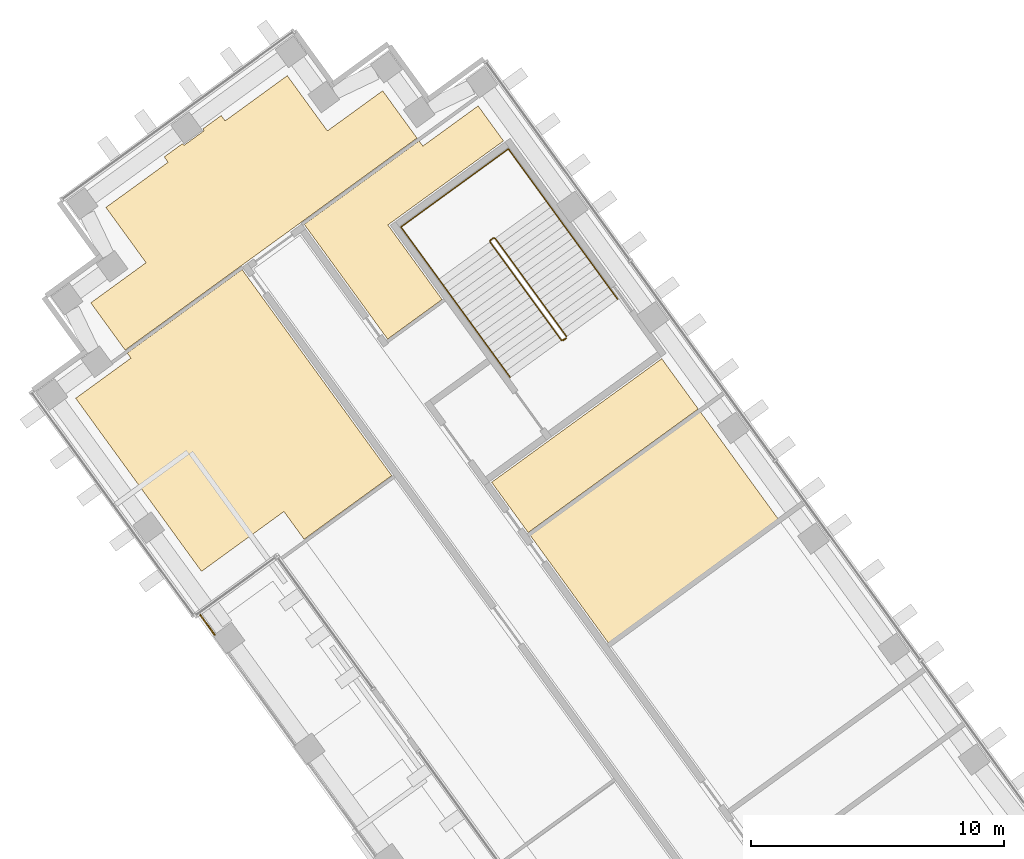
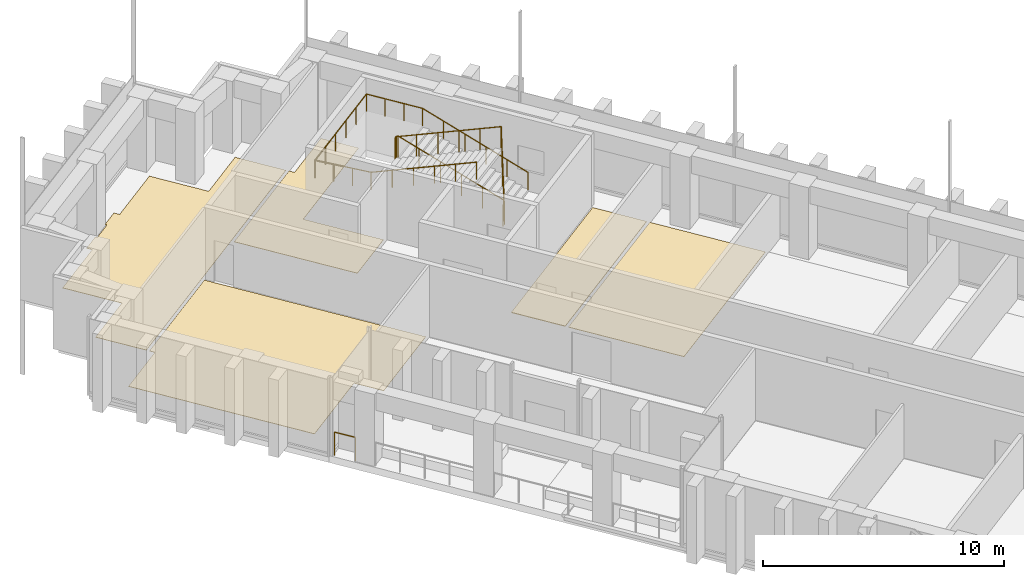
# One storey, part 17 of 19: 5 coverings, 3 railings.
"""IFC4 building model written with IfcOpenShell, lengths in metres."""

from ifc_helpers import new_model, si_unit, direction, frame, origin, origin_2d, place, context, subcontext, project, spatial, polyline, circle, outline, extrude, material, layer, layer_set, type_object, element, save


model = new_model("IFC4")

# Units and contexts
model_context = context("Model", 3, precision=1e-05, world=origin(), true_north=direction((0.0, 1.0)))
body_context = subcontext(model_context, "Body", "Model", "MODEL_VIEW")
ifc_project = project(units=[si_unit("LENGTHUNIT", "METRE"), si_unit("AREAUNIT", "SQUARE_METRE"), si_unit("VOLUMEUNIT", "CUBIC_METRE"), si_unit("PLANEANGLEUNIT", "RADIAN"), si_unit("MASSUNIT", "GRAM", prefix="KILO")], contexts=[model_context])

# Site, building, storey
site_placement = place(None, origin())
site = spatial("IfcSite", under=ifc_project, at=site_placement, CompositionType="ELEMENT")
building_placement = place(site_placement, origin())
building = spatial("IfcBuilding", under=site, at=building_placement, Name="Quipu Civic Tower", CompositionType="ELEMENT")
storey_placement = place(building_placement, frame((0.0, 0.0, 47.0)))
storey = spatial("IfcBuildingStorey", under=building, at=storey_placement, Name="L10", CompositionType="ELEMENT", Elevation=47.0)

# Coverings
ifc_material_1 = material(Name="Carpet tile on raised access floor")
ifc_layer_1 = layer(ifc_material_1, 0.02001953125)
ifc_layer_set_1 = layer_set([ifc_layer_1], Name="Carpet tile on raised access floor")
covering_type_1 = type_object("IfcCoveringType", Name="Carpet tile floor finish 20", PredefinedType="FLOORING", material=ifc_layer_set_1)
covering_1_placement = place(storey_placement, origin())
element("IfcCovering", 1, at=covering_1_placement, inside=storey, type_object=covering_type_1, Name="Carpet tile floor finish 20", PredefinedType="FLOORING", context=body_context, shape_type="SweptSolid", body=[
    extrude(outline(polyline([(-44.445068359375, 36.23193359375), (-39.906005859375, 39.530029296875), (-39.757080078125, 39.327880859375), (-37.573974609375, 40.9130859375), (-36.570068359375, 39.530029296875), (-41.139892578125, 36.208984375), (-38.998046875, 33.260009765625), (-41.15087890625, 31.697021484375), (-44.445068359375, 36.23193359375)])), origin(), (0.0, 0.0, 1.0), 0.02001953125),
])
covering_2_placement = place(storey_placement, origin())
element("IfcCovering", 2, at=covering_2_placement, inside=storey, type_object=covering_type_1, Name="Carpet tile floor finish 20", PredefinedType="FLOORING", context=body_context, shape_type="SweptSolid", body=[
    extrude(outline(polyline([(-53.47998046875, 29.35791015625), (-51.298095703125, 30.943115234375), (-51.443115234375, 31.14599609375), (-46.904052734375, 34.444091796875), (-40.988037109375, 26.301025390625), (-44.451904296875, 23.785888671875), (-45.25, 24.881103515625), (-48.508056640625, 22.513916015625), (-53.47998046875, 29.35791015625)])), origin(), (0.0, 0.0, 1.0), 0.02001953125),
])
covering_3_placement = place(storey_placement, origin())
element("IfcCovering", 3, at=covering_3_placement, inside=storey, type_object=covering_type_1, Name="Carpet tile floor finish 20", PredefinedType="FLOORING", context=body_context, shape_type="SweptSolid", body=[
    extrude(outline(polyline([(-35.512939453125, 23.93896484375), (-28.7900390625, 28.822021484375), (-25.698974609375, 24.56689453125), (-32.422119140625, 19.68310546875), (-35.512939453125, 23.93896484375)])), origin(), (0.0, 0.0, 1.0), 0.02001953125),
])
covering_4_placement = place(storey_placement, origin())
element("IfcCovering", 4, at=covering_4_placement, inside=storey, type_object=covering_type_1, Name="Carpet tile floor finish 20", PredefinedType="FLOORING", context=body_context, shape_type="SweptSolid", body=[
    extrude(outline(polyline([(-52.883056640625, 33.12890625), (-50.698974609375, 34.717041015625), (-52.284912109375, 36.90087890625), (-49.826904296875, 38.68603515625), (-49.97900390625, 38.89697265625), (-49.259033203125, 39.4208984375), (-49.236083984375, 39.388916015625), (-49.23291015625, 39.385009765625), (-49.22900390625, 39.382080078125), (-49.22607421875, 39.3779296875), (-49.220947265625, 39.3759765625), (-49.217041015625, 39.373046875), (-49.212890625, 39.37109375), (-49.2080078125, 39.3701171875), (-49.202880859375, 39.368896484375), (-49.197998046875, 39.367919921875), (-49.193115234375, 39.367919921875), (-49.18896484375, 39.368896484375), (-49.18408203125, 39.3701171875), (-49.178955078125, 39.37109375), (-49.174072265625, 39.373046875), (-49.169921875, 39.375), (-49.166015625, 39.3779296875), (-48.43798828125, 39.906982421875), (-48.43408203125, 39.909912109375), (-48.430908203125, 39.9130859375), (-48.427001953125, 39.9169921875), (-48.425048828125, 39.9208984375), (-48.422119140625, 39.926025390625), (-48.419921875, 39.929931640625), (-48.4189453125, 39.93505859375), (-48.41796875, 39.93994140625), (-48.4169921875, 39.944091796875), (-48.4169921875, 39.948974609375), (-48.41796875, 39.9541015625), (-48.4189453125, 39.958984375), (-48.419921875, 39.964111328125), (-48.422119140625, 39.968017578125), (-48.424072265625, 39.972900390625), (-48.427001953125, 39.97705078125), (-48.449951171875, 40.008056640625), (-47.72900390625, 40.531982421875), (-47.574951171875, 40.322021484375), (-45.116943359375, 42.10791015625), (-43.531982421875, 39.925048828125), (-41.346923828125, 41.510986328125), (-39.989013671875, 39.64208984375), (-51.52587890625, 31.260009765625), (-52.883056640625, 33.12890625)])), origin(), (0.0, 0.0, 1.0), 0.02001953125),
])
ifc_material_2 = material(Name="Ceramic floor tile")
ifc_layer_2 = layer(ifc_material_2, 0.030029296875)
ifc_layer_set_2 = layer_set([ifc_layer_2], Name="Ceramic floor tile")
covering_type_2 = type_object("IfcCoveringType", Name="Ceramic tile floor finish 30", PredefinedType="FLOORING", material=ifc_layer_set_2)
covering_5_placement = place(storey_placement, origin())
element("IfcCovering", 5, at=covering_5_placement, inside=storey, type_object=covering_type_2, Name="Ceramic tile floor finish 30", PredefinedType="FLOORING", context=body_context, shape_type="SweptSolid", body=[
    extrude(outline(polyline([(-37.0380859375, 26.0380859375), (-30.31494140625, 30.922119140625), (-28.873046875, 28.93505859375), (-35.595947265625, 24.052001953125), (-37.0380859375, 26.0380859375)])), origin(), (0.0, 0.0, 1.0), 0.030029296875),
])

# Railings
ifc_material_3 = material(Name="Stainless steel", Category="steel")
railing_type_1 = type_object("IfcRailingType", Name="Stair guard 1100", PredefinedType="GUARDRAIL", material=ifc_material_3)
railing_1_placement = place(storey_placement, frame((-34.078857421875, 31.79736328125, 0.11767578125)))
element("IfcRailing", 6, at=railing_1_placement, inside=storey, type_object=railing_type_1, Name="Stair 6 guard", PredefinedType="GUARDRAIL", context=body_context, shape_type="SweptSolid", body=[
    extrude(circle(Radius=0.02392578125, at=origin_2d()), frame((0.0, 0.0, 1.076171875), z_axis=(-0.54720100349, 0.753182689643, 0.365084781664), x_axis=(-0.809026317077, -0.587772420479, 0.0)), (0.0, 0.0, 1.0), 5.15576171875),
    extrude(circle(Radius=0.02392578125, at=origin_2d()), frame((-2.8212890625, 3.88330078125, 2.95849609375), z_axis=(-0.987846838465, 0.155430446612, 0.0), x_axis=(-0.155430446612, -0.987846838465, 0.0)), (0.0, 0.0, 1.0), 0.07080078125),
    extrude(circle(Radius=0.02392578125, at=origin_2d()), frame((-2.89111328125, 3.894287109375, 2.95849609375), z_axis=(-0.809649071907, -0.586914287065, 0.0), x_axis=(0.586914287065, -0.809649071907, 0.0)), (0.0, 0.0, 1.0), 0.150146484375),
    extrude(circle(Radius=0.02392578125, at=origin_2d()), frame((-3.0126953125, 3.80615234375, 2.95849609375), z_axis=(-0.080033047627, -0.508654480474, 0.857242865693), x_axis=(0.987846838465, -0.155430446612, 0.0)), (0.0, 0.0, 1.0), 0.13720703125),
    extrude(circle(Radius=0.02392578125, at=origin_2d()), frame((-3.023681640625, 3.736328125, 3.076171875), z_axis=(0.54720100349, -0.753182689643, 0.365084781664), x_axis=(0.809026317077, 0.587772420479, 0.0)), (0.0, 0.0, 1.0), 5.15576171875),
    extrude(circle(Radius=0.02392578125, at=origin_2d()), frame((-0.202392578125, -0.14697265625, 4.95849609375), z_axis=(0.047788004556, 0.019261491632, -0.998671768681), x_axis=(-0.373837031195, 0.92749440651, 0.0)), (0.0, 0.0, 1.0), 4.00537109375),
    extrude(circle(Radius=0.02392578125, at=origin_2d()), frame((-0.010986328125, -0.06982421875, 0.95849609375), z_axis=(-0.809087927272, -0.587687609145, 0.0), x_axis=(0.587687609145, -0.809087927272, 0.0)), (0.0, 0.0, 1.0), 0.14990234375),
    extrude(circle(Radius=0.02099609375, at=origin_2d()), origin(), (0.0, 0.0, 1.0), 1.052001953125),
    extrude(circle(Radius=0.02099609375, at=origin_2d()), frame((-0.564208984375, 0.776611328125, 0.37646484375)), (0.0, 0.0, 1.0), 1.052001953125),
    extrude(circle(Radius=0.02099609375, at=origin_2d()), frame((-1.12841796875, 1.55322265625, 0.7529296875)), (0.0, 0.0, 1.0), 1.052001953125),
    extrude(circle(Radius=0.02099609375, at=origin_2d()), frame((-1.69287109375, 2.330078125, 1.12939453125)), (0.0, 0.0, 1.0), 1.052001953125),
    extrude(circle(Radius=0.02099609375, at=origin_2d()), frame((-2.257080078125, 3.106689453125, 1.505859375)), (0.0, 0.0, 1.0), 1.052001953125),
    extrude(circle(Radius=0.02099609375, at=origin_2d()), frame((-2.8212890625, 3.88330078125, 1.88232421875)), (0.0, 0.0, 1.0), 1.052001953125),
    extrude(circle(Radius=0.02099609375, at=origin_2d()), frame((-2.89111328125, 3.894287109375, 1.88232421875)), (0.0, 0.0, 1.0), 1.052001953125),
    extrude(circle(Radius=0.02099609375, at=origin_2d()), frame((-3.0126953125, 3.80615234375, 1.88232421875)), (0.0, 0.0, 1.0), 1.052001953125),
    extrude(circle(Radius=0.02099609375, at=origin_2d()), frame((-3.023681640625, 3.736328125, 2.0)), (0.0, 0.0, 1.0), 1.052001953125),
    extrude(circle(Radius=0.02099609375, at=origin_2d()), frame((-2.45947265625, 2.959716796875, 2.37646484375)), (0.0, 0.0, 1.0), 1.052001953125),
    extrude(circle(Radius=0.02099609375, at=origin_2d()), frame((-1.895263671875, 2.18310546875, 2.7529296875)), (0.0, 0.0, 1.0), 1.052001953125),
    extrude(circle(Radius=0.02099609375, at=origin_2d()), frame((-1.330810546875, 1.40625, 3.12939453125)), (0.0, 0.0, 1.0), 1.052001953125),
    extrude(circle(Radius=0.02099609375, at=origin_2d()), frame((-0.7666015625, 0.629638671875, 3.505859375)), (0.0, 0.0, 1.0), 1.052001953125),
    extrude(circle(Radius=0.02099609375, at=origin_2d()), frame((-0.202392578125, -0.14697265625, 3.88232421875)), (0.0, 0.0, 1.0), 1.052001953125),
    extrude(circle(Radius=0.02099609375, at=origin_2d()), frame((-0.154541015625, -0.127685546875, 2.88232421875)), (0.0, 0.0, 1.0), 1.052001953125),
    extrude(circle(Radius=0.02099609375, at=origin_2d()), frame((-0.106689453125, -0.1083984375, 1.88232421875)), (0.0, 0.0, 1.0), 1.052001953125),
    extrude(circle(Radius=0.02099609375, at=origin_2d()), frame((-0.058837890625, -0.089111328125, 0.88232421875)), (0.0, 0.0, 1.0), 1.052001953125),
    extrude(circle(Radius=0.02099609375, at=origin_2d()), frame((-0.010986328125, -0.06982421875, -0.11767578125)), (0.0, 0.0, 1.0), 1.052001953125),
    extrude(circle(Radius=0.02099609375, at=origin_2d()), frame((-0.13232421875, -0.157958984375, -0.11767578125)), (0.0, 0.0, 1.0), 1.052001953125),
])
ifc_material_4 = material(Name="Stainless steel", Category="steel")
railing_type_2 = type_object("IfcRailingType", Name="Stair handrail", PredefinedType="HANDRAIL", material=ifc_material_4)
railing_2_placement = place(storey_placement, frame((-32.056396484375, 33.266845703125, 0.11767578125)))
element("IfcRailing", 7, at=railing_2_placement, inside=storey, type_object=railing_type_2, Name="Stair 6 handrail", PredefinedType="HANDRAIL", context=body_context, shape_type="SweptSolid", body=[
    extrude(circle(Radius=0.02392578125, at=origin_2d()), frame((0.0, 0.0, 0.8759765625), z_axis=(-0.54720100349, 0.753182689643, 0.365084781664), x_axis=(-0.809026317077, -0.587772420479, 0.0)), (0.0, 0.0, 1.0), 5.15576171875),
    extrude(circle(Radius=0.02392578125, at=origin_2d()), frame((-2.8212890625, 3.88330078125, 2.75830078125), z_axis=(-0.587767432704, 0.809029940764, 0.0), x_axis=(-0.809029940764, -0.587767432704, 0.0)), (0.0, 0.0, 1.0), 2.550048828125),
    extrude(circle(Radius=0.02392578125, at=origin_2d()), frame((-4.320068359375, 5.9462890625, 2.75830078125), z_axis=(-0.809009483706, -0.587795589702, 0.0), x_axis=(0.587795589702, -0.809009483706, 0.0)), (0.0, 0.0, 1.0), 5.25),
    extrude(circle(Radius=0.02392578125, at=origin_2d()), frame((-8.5673828125, 2.8603515625, 2.75830078125), z_axis=(0.587142558822, -0.808169835812, 0.046099155132), x_axis=(0.809029940764, 0.587767432704, 0.0)), (0.0, 0.0, 1.0), 2.552734375),
    extrude(circle(Radius=0.02392578125, at=origin_2d()), frame((-7.068603515625, 0.79736328125, 2.8759765625), z_axis=(0.54720100349, -0.753182689643, 0.365084781664), x_axis=(0.809026317077, 0.587772420479, 0.0)), (0.0, 0.0, 1.0), 5.15576171875),
    extrude(circle(Radius=0.02099609375, at=origin_2d()), origin(), (0.0, 0.0, 1.0), 0.851806640625),
    extrude(circle(Radius=0.02099609375, at=origin_2d()), frame((-0.564208984375, 0.776611328125, 0.37646484375)), (0.0, 0.0, 1.0), 0.851806640625),
    extrude(circle(Radius=0.02099609375, at=origin_2d()), frame((-1.12841796875, 1.55322265625, 0.7529296875)), (0.0, 0.0, 1.0), 0.851806640625),
    extrude(circle(Radius=0.02099609375, at=origin_2d()), frame((-1.69287109375, 2.330078125, 1.12939453125)), (0.0, 0.0, 1.0), 0.851806640625),
    extrude(circle(Radius=0.02099609375, at=origin_2d()), frame((-2.257080078125, 3.106689453125, 1.505859375)), (0.0, 0.0, 1.0), 0.851806640625),
    extrude(circle(Radius=0.02099609375, at=origin_2d()), frame((-2.8212890625, 3.88330078125, 1.88232421875)), (0.0, 0.0, 1.0), 0.851806640625),
    extrude(circle(Radius=0.02099609375, at=origin_2d()), frame((-3.32080078125, 4.571044921875, 1.88232421875)), (0.0, 0.0, 1.0), 0.851806640625),
    extrude(circle(Radius=0.02099609375, at=origin_2d()), frame((-3.820556640625, 5.258544921875, 1.88232421875)), (0.0, 0.0, 1.0), 0.851806640625),
    extrude(circle(Radius=0.02099609375, at=origin_2d()), frame((-4.320068359375, 5.9462890625, 1.88232421875)), (0.0, 0.0, 1.0), 0.851806640625),
    extrude(circle(Radius=0.02099609375, at=origin_2d()), frame((-5.16943359375, 5.3291015625, 1.88232421875)), (0.0, 0.0, 1.0), 0.851806640625),
    extrude(circle(Radius=0.02099609375, at=origin_2d()), frame((-6.01904296875, 4.7119140625, 1.88232421875)), (0.0, 0.0, 1.0), 0.851806640625),
    extrude(circle(Radius=0.02099609375, at=origin_2d()), frame((-6.868408203125, 4.0947265625, 1.88232421875)), (0.0, 0.0, 1.0), 0.851806640625),
    extrude(circle(Radius=0.02099609375, at=origin_2d()), frame((-7.718017578125, 3.4775390625, 1.88232421875)), (0.0, 0.0, 1.0), 0.851806640625),
    extrude(circle(Radius=0.02099609375, at=origin_2d()), frame((-8.5673828125, 2.8603515625, 1.88232421875)), (0.0, 0.0, 1.0), 0.851806640625),
    extrude(circle(Radius=0.02099609375, at=origin_2d()), frame((-8.06787109375, 2.172607421875, 1.921630859375)), (0.0, 0.0, 1.0), 0.851806640625),
    extrude(circle(Radius=0.02099609375, at=origin_2d()), frame((-7.568115234375, 1.485107421875, 1.960693359375)), (0.0, 0.0, 1.0), 0.851806640625),
    extrude(circle(Radius=0.02099609375, at=origin_2d()), frame((-7.068603515625, 0.79736328125, 2.0)), (0.0, 0.0, 1.0), 0.851806640625),
    extrude(circle(Radius=0.02099609375, at=origin_2d()), frame((-6.50439453125, 0.020751953125, 2.37646484375)), (0.0, 0.0, 1.0), 0.851806640625),
    extrude(circle(Radius=0.02099609375, at=origin_2d()), frame((-5.940185546875, -0.755859375, 2.7529296875)), (0.0, 0.0, 1.0), 0.851806640625),
    extrude(circle(Radius=0.02099609375, at=origin_2d()), frame((-5.375732421875, -1.53271484375, 3.12939453125)), (0.0, 0.0, 1.0), 0.851806640625),
    extrude(circle(Radius=0.02099609375, at=origin_2d()), frame((-4.8115234375, -2.309326171875, 3.505859375)), (0.0, 0.0, 1.0), 0.851806640625),
    extrude(circle(Radius=0.02099609375, at=origin_2d()), frame((-4.247314453125, -3.0859375, 3.88232421875)), (0.0, 0.0, 1.0), 0.851806640625),
])
ifc_material_5 = material(Name="Steel S275", Category="steel")
railing_type_3 = type_object("IfcRailingType", Name="Terrace guard G1", PredefinedType="GUARDRAIL", material=ifc_material_5)
railing_3_placement = place(storey_placement, frame((-48.5517578125, 20.787841796875, 0.0)))
element("IfcRailing", 8, at=railing_3_placement, inside=storey, type_object=railing_type_3, Name="Terrace guard L10.1", PredefinedType="GUARDRAIL", context=body_context, shape_type="SweptSolid", body=[
    extrude(circle(Radius=0.02490234375, at=origin_2d()), frame((0.0, 0.0, 1.1748046875), z_axis=(0.587821974901, -0.808990312565, 0.0), x_axis=(0.808990312565, 0.587821974901, 0.0)), (0.0, 0.0, 1.0), 0.954833984375),
    extrude(circle(Radius=0.02490234375, at=origin_2d()), origin(), (0.0, 0.0, 1.0), 1.14990234375),
    extrude(circle(Radius=0.02490234375, at=origin_2d()), frame((0.561279296875, -0.7724609375, 0.0)), (0.0, 0.0, 1.0), 1.14990234375),
])

save(model, "model.ifc")
